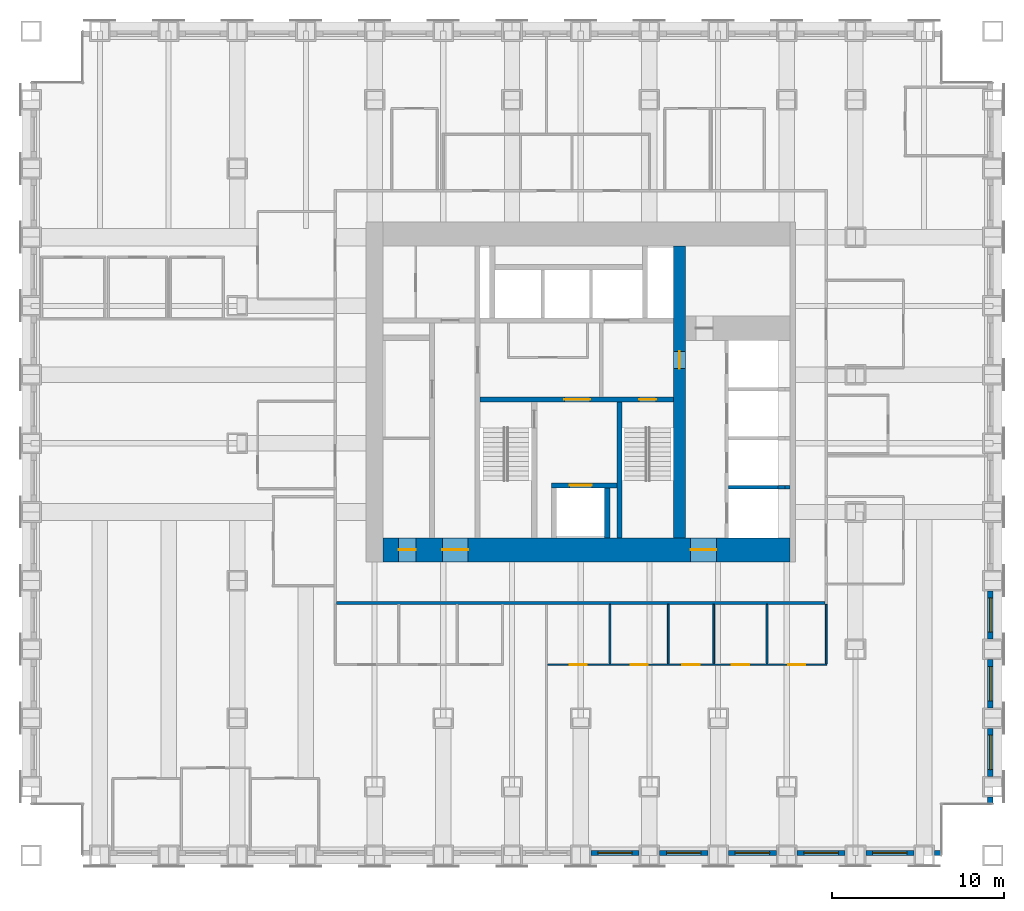
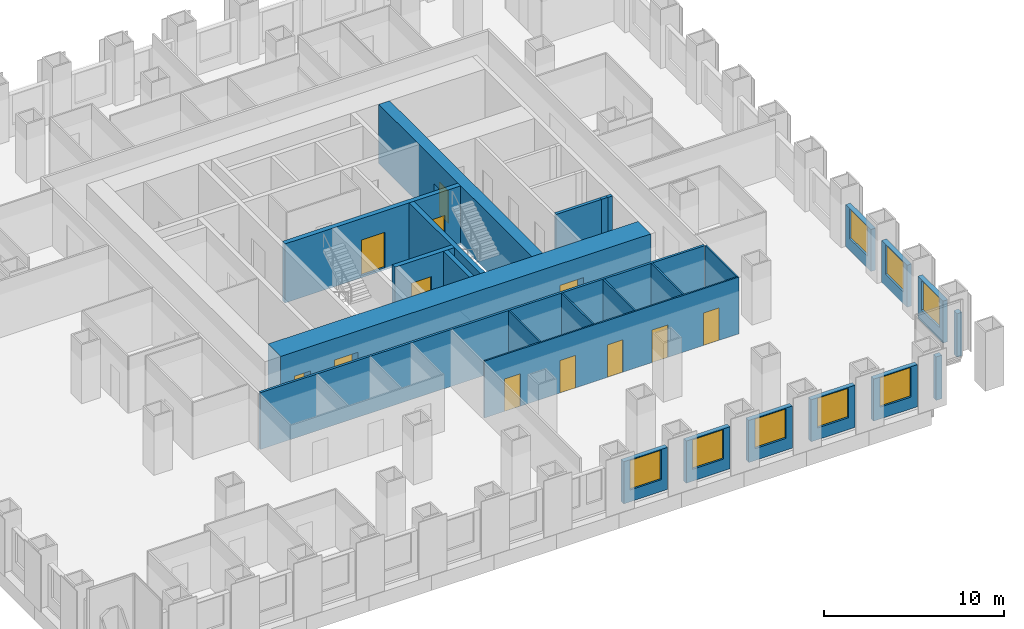
# One storey, part 9 of 14: 26 walls, 12 doors, 8 windows, 20 openings.
"""IFC4 building model written with IfcOpenShell, lengths in metres."""

from ifc_helpers import new_model, si_unit, direction, frame, frame_2d, origin, place, context, subcontext, project, spatial, rectangle, extrude, material, layer, layer_set, type_object, element, fill, save


model = new_model("IFC4")

# Units and contexts
model_context = context("Model", 3, precision=1e-05, world=origin(), true_north=direction((0.0, 1.0)))
body_context = subcontext(model_context, "Body", "Model", "MODEL_VIEW")
ifc_project = project(units=[si_unit("LENGTHUNIT", "METRE"), si_unit("AREAUNIT", "SQUARE_METRE"), si_unit("VOLUMEUNIT", "CUBIC_METRE"), si_unit("PLANEANGLEUNIT", "RADIAN"), si_unit("MASSUNIT", "GRAM", prefix="KILO")], contexts=[model_context])

# Site, building, storey
site_placement = place(None, origin())
site = spatial("IfcSite", under=ifc_project, at=site_placement, CompositionType="ELEMENT")
building_placement = place(site_placement, origin())
building = spatial("IfcBuilding", under=site, at=building_placement, Name="Rimbunsela Tower", CompositionType="ELEMENT")
storey_placement = place(building_placement, frame((0.0, 0.0, 63.0)))
storey = spatial("IfcBuildingStorey", under=building, at=storey_placement, Name="L15", CompositionType="ELEMENT", Elevation=63.0)

# Wall, openings, doors
ifc_material_1 = material(Name="Concrete fc' 80 MPa", Category="concrete")
ifc_layer_1 = layer(ifc_material_1, 0.300048828125)
ifc_layer_set_1 = layer_set([ifc_layer_1], Name="Core internal wall 300")
wall_type_1 = type_object("IfcWallType", Name="Core internal wall 300", PredefinedType="SHEAR", material=ifc_layer_set_1)
wall_1_placement = place(storey_placement, frame((24.14990234375, 26.550048828125, -0.14990234375), z_axis=(0.0, 0.0, 1.0), x_axis=(1.0, 0.0, 0.0)))
wall_1 = element("IfcWall", 1, at=wall_1_placement, inside=storey, type_object=wall_type_1, Name="Core wall lobby south", PredefinedType="SHEAR", context=body_context, shape_type="SweptSolid", body=[
    extrude(rectangle(XDim=11.25, YDim=0.300048828125, at=frame_2d((5.625, 0.0))), origin(), (0.0, 0.0, 1.0), 4.0),
])
opening_1_placement = place(wall_1_placement, frame((9.25, 0.0, 0.14990234375)))
opening_1 = element("IfcOpeningElement", 2, at=opening_1_placement, cuts=wall_1, Name="Opening D01", PredefinedType="OPENING", context=body_context, shape_type="SweptSolid", body=[
    extrude(rectangle(XDim=1.0, YDim=2.199951171875, at=frame_2d((0.5, 1.10009765625))), frame((0.0, 0.159912109375, 0.0), z_axis=(0.0, -1.0, 0.0), x_axis=(1.0, 0.0, 0.0)), (0.0, 0.0, 1.0), 0.320068359375),
])
opening_2_placement = place(wall_1_placement, frame((4.89990234375, 0.0, 0.14990234375)))
opening_2 = element("IfcOpeningElement", 3, at=opening_2_placement, cuts=wall_1, Name="Opening D03", PredefinedType="OPENING", context=body_context, shape_type="SweptSolid", body=[
    extrude(rectangle(XDim=1.5, YDim=2.39990234375, at=frame_2d((0.75, 1.199951171875))), frame((0.0, 0.159912109375, 0.0), z_axis=(0.0, -1.0, 0.0), x_axis=(1.0, 0.0, 0.0)), (0.0, 0.0, 1.0), 0.320068359375),
])
ifc_material_2 = material(Name="Steel door, fire rated", Category="steel")
door_type_1 = type_object("IfcDoorType", Name="Core lobby door 1500", OperationType="DOUBLE_DOOR_DOUBLE_SWING", PredefinedType="DOOR", material=ifc_material_2)
door_1_placement = place(opening_2_placement, origin())
door_1 = element("IfcDoor", 4, at=door_1_placement, inside=storey, type_object=door_type_1, Name="Firefighting lobby door", OperationType="DOUBLE_DOOR_DOUBLE_SWING", OverallHeight=2.39990234375, OverallWidth=1.5, PredefinedType="DOOR", context=body_context, shape_type="SweptSolid", body=[
    extrude(rectangle(XDim=1.5, YDim=2.39990234375, at=frame_2d((0.75, 1.199951171875))), frame((0.0, 0.02490234375, 0.0), z_axis=(0.0, -1.0, 0.0), x_axis=(1.0, 0.0, 0.0)), (0.0, 0.0, 1.0), 0.050048828125),
])
fill(opening_2, door_1)
ifc_material_3 = material(Name="Steel door, fire rated", Category="steel")
door_type_2 = type_object("IfcDoorType", Name="Stair door 1000", OperationType="SINGLE_SWING_RIGHT", PredefinedType="DOOR", material=ifc_material_3)
door_2_placement = place(opening_1_placement, frame((1.0, 0.0, 0.0), z_axis=(0.0, 0.0, 1.0), x_axis=(-1.0, 0.0, 0.0)))
door_2 = element("IfcDoor", 5, at=door_2_placement, inside=storey, type_object=door_type_2, Name="Stair B door", OperationType="SINGLE_SWING_RIGHT", OverallHeight=2.199951171875, OverallWidth=1.0, PredefinedType="DOOR", context=body_context, shape_type="SweptSolid", body=[
    extrude(rectangle(XDim=1.0, YDim=2.199951171875, at=frame_2d((0.5, 1.10009765625))), frame((0.0, 0.02490234375, 0.0), z_axis=(0.0, -1.0, 0.0), x_axis=(1.0, 0.0, 0.0)), (0.0, 0.0, 1.0), 0.050048828125),
])
fill(opening_1, door_2)

# Walls
wall_2_placement = place(storey_placement, frame((32.25, 18.5, -0.14990234375), z_axis=(0.0, 0.0, 1.0), x_axis=(0.0, 1.0, 0.0)))
element("IfcWall", 6, at=wall_2_placement, inside=storey, type_object=wall_type_1, Name="Stair B enclosure", PredefinedType="SHEAR", context=body_context, shape_type="SweptSolid", body=[
    extrude(rectangle(XDim=7.89990234375, YDim=0.300048828125, at=frame_2d((3.949951171875, 0.0))), origin(), (0.0, 0.0, 1.0), 4.0),
])
wall_3_placement = place(storey_placement, frame((31.550048828125, 18.5, -0.14990234375), z_axis=(0.0, 0.0, 1.0), x_axis=(0.0, 1.0, 0.0)))
element("IfcWall", 7, at=wall_3_placement, inside=storey, type_object=wall_type_1, Name="Firefighting lift shaft east", PredefinedType="SHEAR", context=body_context, shape_type="SweptSolid", body=[
    extrude(rectangle(XDim=2.89990234375, YDim=0.300048828125, at=frame_2d((1.449951171875, 0.0))), origin(), (0.0, 0.0, 1.0), 4.0),
])

# Wall, opening, door
wall_4_placement = place(storey_placement, frame((28.300048828125, 21.550048828125, -0.14990234375), z_axis=(0.0, 0.0, 1.0), x_axis=(1.0, 0.0, 0.0)))
wall_4 = element("IfcWall", 8, at=wall_4_placement, inside=storey, type_object=wall_type_1, Name="Firefighting lift shaft front", PredefinedType="SHEAR", context=body_context, shape_type="SweptSolid", body=[
    extrude(rectangle(XDim=3.800048828125, YDim=0.300048828125, at=frame_2d((1.89990234375, 0.0))), origin(), (0.0, 0.0, 1.0), 4.0),
])
opening_3_placement = place(wall_4_placement, frame((1.050048828125, 0.0, 0.14990234375)))
opening_3 = element("IfcOpeningElement", 9, at=opening_3_placement, cuts=wall_4, Name="Opening LD2", PredefinedType="OPENING", context=body_context, shape_type="SweptSolid", body=[
    extrude(rectangle(XDim=1.300048828125, YDim=2.39990234375, at=frame_2d((0.64990234375, 1.199951171875))), frame((0.0, 0.159912109375, 0.0), z_axis=(0.0, -1.0, 0.0), x_axis=(1.0, 0.0, 0.0)), (0.0, 0.0, 1.0), 0.320068359375),
])
ifc_material_4 = material(Name="Steel door, fire rated", Category="steel")
door_type_3 = type_object("IfcDoorType", Name="Lift landing door 1300", OperationType="DOUBLE_DOOR_SLIDING", PredefinedType="DOOR", material=ifc_material_4)
door_3_placement = place(opening_3_placement, origin())
door_3 = element("IfcDoor", 10, at=door_3_placement, inside=storey, type_object=door_type_3, Name="Lift landing door FL1", OperationType="DOUBLE_DOOR_SLIDING", OverallHeight=2.39990234375, OverallWidth=1.300048828125, PredefinedType="DOOR", context=body_context, shape_type="SweptSolid", body=[
    extrude(rectangle(XDim=1.300048828125, YDim=2.39990234375, at=frame_2d((0.64990234375, 1.199951171875))), frame((0.0, 0.02490234375, 0.0), z_axis=(0.0, -1.0, 0.0), x_axis=(1.0, 0.0, 0.0)), (0.0, 0.0, 1.0), 0.050048828125),
])
fill(opening_3, door_3)

# Wall, openings, doors
ifc_material_5 = material(Name="Concrete fc' 80 MPa", Category="concrete")
ifc_layer_2 = layer(ifc_material_5, 1.39990234375)
ifc_layer_set_2 = layer_set([ifc_layer_2], Name="Core wall 1400")
wall_type_2 = type_object("IfcWallType", Name="Core wall 1400", PredefinedType="SHEAR", material=ifc_layer_set_2)
wall_5_placement = place(storey_placement, frame((18.5, 17.800048828125, -0.14990234375), z_axis=(0.0, 0.0, 1.0), x_axis=(1.0, 0.0, 0.0)))
wall_5 = element("IfcWall", 11, at=wall_5_placement, inside=storey, type_object=wall_type_2, Name="Core wall south", PredefinedType="SHEAR", context=body_context, shape_type="SweptSolid", body=[
    extrude(rectangle(XDim=23.699951171875, YDim=1.39990234375, at=frame_2d((11.85009765625, 0.0))), origin(), (0.0, 0.0, 1.0), 4.0),
])
opening_4_placement = place(wall_5_placement, frame((3.449951171875, 0.0, 0.14990234375)))
opening_4 = element("IfcOpeningElement", 12, at=opening_4_placement, cuts=wall_5, Name="Opening D03", PredefinedType="OPENING", context=body_context, shape_type="SweptSolid", body=[
    extrude(rectangle(XDim=1.5, YDim=2.39990234375, at=frame_2d((0.75, 1.199951171875))), frame((0.0, 0.7099609375, 0.0), z_axis=(0.0, -1.0, 0.0), x_axis=(1.0, 0.0, 0.0)), (0.0, 0.0, 1.0), 1.419921875),
])
opening_5_placement = place(wall_5_placement, frame((17.89990234375, 0.0, 0.14990234375)))
opening_5 = element("IfcOpeningElement", 13, at=opening_5_placement, cuts=wall_5, Name="Opening D03", PredefinedType="OPENING", context=body_context, shape_type="SweptSolid", body=[
    extrude(rectangle(XDim=1.5, YDim=2.39990234375, at=frame_2d((0.75, 1.199951171875))), frame((0.0, 0.7099609375, 0.0), z_axis=(0.0, -1.0, 0.0), x_axis=(1.0, 0.0, 0.0)), (0.0, 0.0, 1.0), 1.419921875),
])
opening_6_placement = place(wall_5_placement, frame((0.89990234375, 0.0, 0.14990234375)))
opening_6 = element("IfcOpeningElement", 14, at=opening_6_placement, cuts=wall_5, Name="Opening D19", PredefinedType="OPENING", context=body_context, shape_type="SweptSolid", body=[
    extrude(rectangle(XDim=1.0, YDim=2.199951171875, at=frame_2d((0.5, 1.10009765625))), frame((0.0, 0.7099609375, 0.0), z_axis=(0.0, -1.0, 0.0), x_axis=(1.0, 0.0, 0.0)), (0.0, 0.0, 1.0), 1.419921875),
])
door_4_placement = place(opening_4_placement, origin())
door_4 = element("IfcDoor", 15, at=door_4_placement, inside=storey, type_object=door_type_1, Name="Core door south", OperationType="DOUBLE_DOOR_DOUBLE_SWING", OverallHeight=2.39990234375, OverallWidth=1.5, PredefinedType="DOOR", context=body_context, shape_type="SweptSolid", body=[
    extrude(rectangle(XDim=1.5, YDim=2.39990234375, at=frame_2d((0.75, 1.199951171875))), frame((0.0, 0.02490234375, 0.0), z_axis=(0.0, -1.0, 0.0), x_axis=(1.0, 0.0, 0.0)), (0.0, 0.0, 1.0), 0.050048828125),
])
fill(opening_4, door_4)
door_5_placement = place(opening_5_placement, origin())
door_5 = element("IfcDoor", 16, at=door_5_placement, inside=storey, type_object=door_type_1, Name="Core door south-east", OperationType="DOUBLE_DOOR_DOUBLE_SWING", OverallHeight=2.39990234375, OverallWidth=1.5, PredefinedType="DOOR", context=body_context, shape_type="SweptSolid", body=[
    extrude(rectangle(XDim=1.5, YDim=2.39990234375, at=frame_2d((0.75, 1.199951171875))), frame((0.0, 0.02490234375, 0.0), z_axis=(0.0, -1.0, 0.0), x_axis=(1.0, 0.0, 0.0)), (0.0, 0.0, 1.0), 0.050048828125),
])
fill(opening_5, door_5)
ifc_material_6 = material(Name="Steel door, fire rated", Category="steel")
door_type_4 = type_object("IfcDoorType", Name="Service door 1000 fire rated", OperationType="SINGLE_SWING_LEFT", PredefinedType="DOOR", material=ifc_material_6)
door_6_placement = place(opening_6_placement, origin())
door_6 = element("IfcDoor", 17, at=door_6_placement, inside=storey, type_object=door_type_4, Name="Electrical room door", OperationType="SINGLE_SWING_LEFT", OverallHeight=2.199951171875, OverallWidth=1.0, PredefinedType="DOOR", context=body_context, shape_type="SweptSolid", body=[
    extrude(rectangle(XDim=1.0, YDim=2.199951171875, at=frame_2d((0.5, 1.10009765625))), frame((0.0, 0.02490234375, 0.0), z_axis=(0.0, -1.0, 0.0), x_axis=(1.0, 0.0, 0.0)), (0.0, 0.0, 1.0), 0.050048828125),
])
fill(opening_6, door_6)

# Wall, opening, door
ifc_material_7 = material(Name="Concrete fc' 80 MPa", Category="concrete")
ifc_layer_3 = layer(ifc_material_7, 0.699951171875)
ifc_layer_set_3 = layer_set([ifc_layer_3], Name="Core wall 700 east")
wall_type_3 = type_object("IfcWallType", Name="Core wall 700 east", PredefinedType="SHEAR", material=ifc_layer_set_3)
wall_6_placement = place(storey_placement, frame((35.75, 18.5, -0.14990234375), z_axis=(0.0, 0.0, 1.0), x_axis=(0.0, 1.0, 0.0)))
wall_6 = element("IfcWall", 18, at=wall_6_placement, inside=storey, type_object=wall_type_3, Name="Core wall low-rise bank", PredefinedType="SHEAR", context=body_context, shape_type="SweptSolid", body=[
    extrude(rectangle(XDim=17.0, YDim=0.699951171875, at=frame_2d((8.5, 0.0))), origin(), (0.0, 0.0, 1.0), 4.0),
])
opening_7_placement = place(wall_6_placement, frame((9.85009765625, 0.0, 0.14990234375)))
opening_7 = element("IfcOpeningElement", 19, at=opening_7_placement, cuts=wall_6, Name="Opening D01", PredefinedType="OPENING", context=body_context, shape_type="SweptSolid", body=[
    extrude(rectangle(XDim=1.0, YDim=2.199951171875, at=frame_2d((0.5, 1.10009765625))), frame((0.0, 0.35986328125, 0.0), z_axis=(0.0, -1.0, 0.0), x_axis=(1.0, 0.0, 0.0)), (0.0, 0.0, 1.0), 0.719970703125),
])
door_7_placement = place(opening_7_placement, origin())
door_7 = element("IfcDoor", 20, at=door_7_placement, inside=storey, type_object=door_type_2, Name="Firefighting lobby 2 door", OperationType="SINGLE_SWING_RIGHT", OverallHeight=2.199951171875, OverallWidth=1.0, PredefinedType="DOOR", context=body_context, shape_type="SweptSolid", body=[
    extrude(rectangle(XDim=1.0, YDim=2.199951171875, at=frame_2d((0.5, 1.10009765625))), frame((0.0, 0.02490234375, 0.0), z_axis=(0.0, -1.0, 0.0), x_axis=(1.0, 0.0, 0.0)), (0.0, 0.0, 1.0), 0.050048828125),
])
fill(opening_7, door_7)

# Walls
ifc_material_8 = material(Name="Concrete blockwork", Category="masonry")
ifc_layer_4 = layer(ifc_material_8, 0.199951171875)
ifc_layer_set_4 = layer_set([ifc_layer_4], Name="Lift shaft wall 200")
wall_type_4 = type_object("IfcWallType", Name="Lift shaft wall 200", PredefinedType="SOLIDWALL", material=ifc_layer_set_4)
wall_7_placement = place(storey_placement, frame((38.60009765625, 21.449951171875, -0.14990234375), z_axis=(0.0, 0.0, 1.0), x_axis=(1.0, 0.0, 0.0)))
element("IfcWall", 21, at=wall_7_placement, inside=storey, type_object=wall_type_4, Name="Lift shaft separation", PredefinedType="SOLIDWALL", context=body_context, shape_type="SweptSolid", body=[
    extrude(rectangle(XDim=2.89990234375, YDim=0.199951171875, at=frame_2d((1.449951171875, 0.0))), origin(), (0.0, 0.0, 1.0), 4.0),
])
wall_8_placement = place(storey_placement, frame((41.5, 21.449951171875, -0.14990234375), z_axis=(0.0, 0.0, 1.0), x_axis=(1.0, 0.0, 0.0)))
element("IfcWall", 22, at=wall_8_placement, inside=storey, type_object=wall_type_4, Name="Lift shaft separation", PredefinedType="SOLIDWALL", context=body_context, shape_type="SweptSolid", body=[
    extrude(rectangle(XDim=0.39990234375, YDim=0.199951171875, at=frame_2d((0.199951171875, 0.0))), origin(), (0.0, 0.0, 1.0), 4.0),
])
wall_9_placement = place(storey_placement, frame((41.89990234375, 21.449951171875, -0.14990234375), z_axis=(0.0, 0.0, 1.0), x_axis=(1.0, 0.0, 0.0)))
element("IfcWall", 23, at=wall_9_placement, inside=storey, type_object=wall_type_4, Name="Lift shaft separation", PredefinedType="SOLIDWALL", context=body_context, shape_type="SweptSolid", body=[
    extrude(rectangle(XDim=0.300048828125, YDim=0.199951171875, at=frame_2d((0.14990234375, 0.0))), origin(), (0.0, 0.0, 1.0), 4.0),
])

# Wall, openings, doors
ifc_material_9 = material(Name="Gypsum board on steel studs", Category="steel")
ifc_layer_5 = layer(ifc_material_9, 0.10009765625)
ifc_layer_set_5 = layer_set([ifc_layer_5], Name="Office partition 100")
wall_type_5 = type_object("IfcWallType", Name="Office partition 100", PredefinedType="PARTITIONING", material=ifc_layer_set_5)
wall_10_placement = place(storey_placement, frame((28.06103515625, 11.10009765625, 0.0), z_axis=(0.0, 0.0, 1.0), x_axis=(1.0, 0.0, 0.0)))
wall_10 = element("IfcWall", 24, at=wall_10_placement, inside=storey, type_object=wall_type_5, Name="Office partition", PredefinedType="PARTITIONING", context=body_context, shape_type="SweptSolid", body=[
    extrude(rectangle(XDim=16.2890625, YDim=0.10009765625, at=frame_2d((8.14453125, 0.0))), origin(), (0.0, 0.0, 1.0), 3.85009765625),
])
opening_8_placement = place(wall_10_placement, frame((1.2900390625, 0.0, 0.0)))
opening_8 = element("IfcOpeningElement", 25, at=opening_8_placement, cuts=wall_10, Name="Opening D17", PredefinedType="OPENING", context=body_context, shape_type="SweptSolid", body=[
    extrude(rectangle(XDim=1.0, YDim=2.199951171875, at=frame_2d((0.5, 1.10009765625))), frame((0.0, 0.06005859375, 0.0), z_axis=(0.0, -1.0, 0.0), x_axis=(1.0, 0.0, 0.0)), (0.0, 0.0, 1.0), 0.1201171875),
])
opening_9_placement = place(wall_10_placement, frame((4.840087890625, 0.0, 0.0)))
opening_9 = element("IfcOpeningElement", 26, at=opening_9_placement, cuts=wall_10, Name="Opening D16", PredefinedType="OPENING", context=body_context, shape_type="SweptSolid", body=[
    extrude(rectangle(XDim=1.0, YDim=2.199951171875, at=frame_2d((0.5, 1.10009765625))), frame((0.0, 0.06005859375, 0.0), z_axis=(0.0, -1.0, 0.0), x_axis=(1.0, 0.0, 0.0)), (0.0, 0.0, 1.0), 0.1201171875),
])
opening_10_placement = place(wall_10_placement, frame((7.864990234375, 0.0, 0.0)))
opening_10 = element("IfcOpeningElement", 27, at=opening_10_placement, cuts=wall_10, Name="Opening D16", PredefinedType="OPENING", context=body_context, shape_type="SweptSolid", body=[
    extrude(rectangle(XDim=1.0, YDim=2.199951171875, at=frame_2d((0.5, 1.10009765625))), frame((0.0, 0.06005859375, 0.0), z_axis=(0.0, -1.0, 0.0), x_axis=(1.0, 0.0, 0.0)), (0.0, 0.0, 1.0), 0.1201171875),
])
opening_11_placement = place(wall_10_placement, frame((10.739990234375, 0.0, 0.0)))
opening_11 = element("IfcOpeningElement", 28, at=opening_11_placement, cuts=wall_10, Name="Opening D16", PredefinedType="OPENING", context=body_context, shape_type="SweptSolid", body=[
    extrude(rectangle(XDim=1.0, YDim=2.199951171875, at=frame_2d((0.5, 1.10009765625))), frame((0.0, 0.06005859375, 0.0), z_axis=(0.0, -1.0, 0.0), x_axis=(1.0, 0.0, 0.0)), (0.0, 0.0, 1.0), 0.1201171875),
])
opening_12_placement = place(wall_10_placement, frame((14.014404296875, 0.0, 0.0)))
opening_12 = element("IfcOpeningElement", 29, at=opening_12_placement, cuts=wall_10, Name="Opening D16", PredefinedType="OPENING", context=body_context, shape_type="SweptSolid", body=[
    extrude(rectangle(XDim=1.0, YDim=2.199951171875, at=frame_2d((0.5, 1.10009765625))), frame((0.0, 0.06005859375, 0.0), z_axis=(0.0, -1.0, 0.0), x_axis=(1.0, 0.0, 0.0)), (0.0, 0.0, 1.0), 0.1201171875),
])
ifc_material_10 = material(Name="Glazed aluminium door", Category="aluminium")
door_type_5 = type_object("IfcDoorType", Name="Meeting room door 1000 glazed", OperationType="SINGLE_SWING_RIGHT", PredefinedType="DOOR", material=ifc_material_10)
door_8_placement = place(opening_8_placement, origin())
door_8 = element("IfcDoor", 30, at=door_8_placement, inside=storey, type_object=door_type_5, Name="Meeting room door", OperationType="SINGLE_SWING_RIGHT", OverallHeight=2.199951171875, OverallWidth=1.0, PredefinedType="DOOR", context=body_context, shape_type="SweptSolid", body=[
    extrude(rectangle(XDim=1.0, YDim=2.199951171875, at=frame_2d((0.5, 1.10009765625))), frame((0.0, 0.02490234375, 0.0), z_axis=(0.0, -1.0, 0.0), x_axis=(1.0, 0.0, 0.0)), (0.0, 0.0, 1.0), 0.050048828125),
])
fill(opening_8, door_8)
ifc_material_11 = material(Name="Timber door", Category="wood")
door_type_6 = type_object("IfcDoorType", Name="Office door 1000", OperationType="SINGLE_SWING_LEFT", PredefinedType="DOOR", material=ifc_material_11)
door_9_placement = place(opening_9_placement, origin())
door_9 = element("IfcDoor", 31, at=door_9_placement, inside=storey, type_object=door_type_6, Name="Office door", OperationType="SINGLE_SWING_LEFT", OverallHeight=2.199951171875, OverallWidth=1.0, PredefinedType="DOOR", context=body_context, shape_type="SweptSolid", body=[
    extrude(rectangle(XDim=1.0, YDim=2.199951171875, at=frame_2d((0.5, 1.10009765625))), frame((0.0, 0.02490234375, 0.0), z_axis=(0.0, -1.0, 0.0), x_axis=(1.0, 0.0, 0.0)), (0.0, 0.0, 1.0), 0.050048828125),
])
fill(opening_9, door_9)
door_10_placement = place(opening_10_placement, origin())
door_10 = element("IfcDoor", 32, at=door_10_placement, inside=storey, type_object=door_type_6, Name="Office door", OperationType="SINGLE_SWING_LEFT", OverallHeight=2.199951171875, OverallWidth=1.0, PredefinedType="DOOR", context=body_context, shape_type="SweptSolid", body=[
    extrude(rectangle(XDim=1.0, YDim=2.199951171875, at=frame_2d((0.5, 1.10009765625))), frame((0.0, 0.02490234375, 0.0), z_axis=(0.0, -1.0, 0.0), x_axis=(1.0, 0.0, 0.0)), (0.0, 0.0, 1.0), 0.050048828125),
])
fill(opening_10, door_10)
door_11_placement = place(opening_11_placement, origin())
door_11 = element("IfcDoor", 33, at=door_11_placement, inside=storey, type_object=door_type_6, Name="Office door", OperationType="SINGLE_SWING_LEFT", OverallHeight=2.199951171875, OverallWidth=1.0, PredefinedType="DOOR", context=body_context, shape_type="SweptSolid", body=[
    extrude(rectangle(XDim=1.0, YDim=2.199951171875, at=frame_2d((0.5, 1.10009765625))), frame((0.0, 0.02490234375, 0.0), z_axis=(0.0, -1.0, 0.0), x_axis=(1.0, 0.0, 0.0)), (0.0, 0.0, 1.0), 0.050048828125),
])
fill(opening_11, door_11)
door_12_placement = place(opening_12_placement, origin())
door_12 = element("IfcDoor", 34, at=door_12_placement, inside=storey, type_object=door_type_6, Name="Office door", OperationType="SINGLE_SWING_LEFT", OverallHeight=2.199951171875, OverallWidth=1.0, PredefinedType="DOOR", context=body_context, shape_type="SweptSolid", body=[
    extrude(rectangle(XDim=1.0, YDim=2.199951171875, at=frame_2d((0.5, 1.10009765625))), frame((0.0, 0.02490234375, 0.0), z_axis=(0.0, -1.0, 0.0), x_axis=(1.0, 0.0, 0.0)), (0.0, 0.0, 1.0), 0.050048828125),
])
fill(opening_12, door_12)

# Walls
for number, where, z_axis, x_axis, name in (
    (35, (31.700927734375, 11.14990234375, 0.0), (0.0, 0.0, 1.0), (0.0, 1.0, 0.0), "Office partition"),
    (36, (35.10107421875, 11.14990234375, 0.0), (0.0, 0.0, 1.0), (0.0, 1.0, 0.0), "Office partition"),
    (37, (37.7509765625, 11.14990234375, 0.0), (0.0, 0.0, 1.0), (0.0, 1.0, 0.0), "Office partition"),
    (38, (40.85107421875, 11.14990234375, 0.0), (0.0, 0.0, 1.0), (0.0, 1.0, 0.0), "Office partition"),
    (39, (44.300048828125, 11.14990234375, 0.0), (0.0, 0.0, 1.0), (0.0, 1.0, 0.0), "Office partition"),
):
    element("IfcWall", number, at=place(storey_placement, frame(where, z_axis=z_axis, x_axis=x_axis)), inside=storey, type_object=wall_type_5, Name=name, PredefinedType="PARTITIONING", context=body_context, shape_type="SweptSolid", body=[
        extrude(rectangle(XDim=3.47509765625, YDim=0.10009765625, at=frame_2d((1.737548828125, 0.0))), origin(), (0.0, 0.0, 1.0), 3.85009765625),
    ])

# Wall, opening, window
ifc_material_12 = material(Name="Precast concrete fc' 35 MPa", Category="concrete")
ifc_layer_6 = layer(ifc_material_12, 0.300048828125)
ifc_layer_set_6 = layer_set([ifc_layer_6], Name="Precast concrete fc' 35 MPa")
wall_type_6 = type_object("IfcWallType", Name="Precast facade panel 300", PredefinedType="ELEMENTEDWALL", material=ifc_layer_set_6)
wall_11_placement = place(storey_placement, frame((30.60009765625, 0.14990234375, 0.0), z_axis=(0.0, 0.0, 1.0), x_axis=(1.0, 0.0, 0.0)))
wall_11 = element("IfcWall", 40, at=wall_11_placement, inside=storey, type_object=wall_type_6, Name="Facade panel S L15", PredefinedType="ELEMENTEDWALL", context=body_context, shape_type="SweptSolid", body=[
    extrude(rectangle(XDim=2.7998046875, YDim=0.300048828125, at=frame_2d((1.39990234375, 0.0))), origin(), (0.0, 0.0, 1.0), 2.85009765625),
])
opening_13_placement = place(wall_11_placement, frame((0.39990234375, 0.0, 0.800048828125)))
opening_13 = element("IfcOpeningElement", 41, at=opening_13_placement, cuts=wall_11, Name="Opening W1", PredefinedType="OPENING", context=body_context, shape_type="SweptSolid", body=[
    extrude(rectangle(XDim=2.0, YDim=2.0, at=frame_2d((1.0, 1.0))), frame((0.0, 0.159912109375, 0.0), z_axis=(0.0, -1.0, 0.0), x_axis=(1.0, 0.0, 0.0)), (0.0, 0.0, 1.0), 0.320068359375),
])
ifc_material_13 = material(Name="Clear glass in aluminium frame", Category="aluminium")
window_type = type_object("IfcWindowType", Name="Window W1 2000x2000", PartitioningType="DOUBLE_PANEL_VERTICAL", PredefinedType="WINDOW", material=ifc_material_13)
window_1_placement = place(opening_13_placement, origin())
window_1 = element("IfcWindow", 42, at=window_1_placement, inside=storey, type_object=window_type, Name="Window L15", OverallHeight=2.0, OverallWidth=2.0, PartitioningType="SINGLE_PANEL", PredefinedType="WINDOW", context=body_context, shape_type="SweptSolid", body=[
    extrude(rectangle(XDim=2.0, YDim=2.0, at=frame_2d((1.0, 1.0))), frame((0.0, 0.030029296875, 0.0), z_axis=(0.0, -1.0, 0.0), x_axis=(1.0, 0.0, 0.0)), (0.0, 0.0, 1.0), 0.06005859375),
])
fill(opening_13, window_1)

wall_12_placement = place(storey_placement, frame((34.60009765625, 0.14990234375, 0.0), z_axis=(0.0, 0.0, 1.0), x_axis=(1.0, 0.0, 0.0)))
wall_12 = element("IfcWall", 43, at=wall_12_placement, inside=storey, type_object=wall_type_6, Name="Facade panel S L15", PredefinedType="ELEMENTEDWALL", context=body_context, shape_type="SweptSolid", body=[
    extrude(rectangle(XDim=2.7998046875, YDim=0.300048828125, at=frame_2d((1.39990234375, 0.0))), origin(), (0.0, 0.0, 1.0), 2.85009765625),
])
opening_14_placement = place(wall_12_placement, frame((0.39990234375, 0.0, 0.800048828125)))
opening_14 = element("IfcOpeningElement", 44, at=opening_14_placement, cuts=wall_12, Name="Opening W1", PredefinedType="OPENING", context=body_context, shape_type="SweptSolid", body=[
    extrude(rectangle(XDim=2.0, YDim=2.0, at=frame_2d((1.0, 1.0))), frame((0.0, 0.159912109375, 0.0), z_axis=(0.0, -1.0, 0.0), x_axis=(1.0, 0.0, 0.0)), (0.0, 0.0, 1.0), 0.320068359375),
])
window_2_placement = place(opening_14_placement, origin())
window_2 = element("IfcWindow", 45, at=window_2_placement, inside=storey, type_object=window_type, Name="Window L15", OverallHeight=2.0, OverallWidth=2.0, PartitioningType="SINGLE_PANEL", PredefinedType="WINDOW", context=body_context, shape_type="SweptSolid", body=[
    extrude(rectangle(XDim=2.0, YDim=2.0, at=frame_2d((1.0, 1.0))), frame((0.0, 0.030029296875, 0.0), z_axis=(0.0, -1.0, 0.0), x_axis=(1.0, 0.0, 0.0)), (0.0, 0.0, 1.0), 0.06005859375),
])
fill(opening_14, window_2)

wall_13_placement = place(storey_placement, frame((38.60009765625, 0.14990234375, 0.0), z_axis=(0.0, 0.0, 1.0), x_axis=(1.0, 0.0, 0.0)))
wall_13 = element("IfcWall", 46, at=wall_13_placement, inside=storey, type_object=wall_type_6, Name="Facade panel S L15", PredefinedType="ELEMENTEDWALL", context=body_context, shape_type="SweptSolid", body=[
    extrude(rectangle(XDim=2.7998046875, YDim=0.300048828125, at=frame_2d((1.39990234375, 0.0))), origin(), (0.0, 0.0, 1.0), 2.85009765625),
])
opening_15_placement = place(wall_13_placement, frame((0.39990234375, 0.0, 0.800048828125)))
opening_15 = element("IfcOpeningElement", 47, at=opening_15_placement, cuts=wall_13, Name="Opening W1", PredefinedType="OPENING", context=body_context, shape_type="SweptSolid", body=[
    extrude(rectangle(XDim=2.0, YDim=2.0, at=frame_2d((1.0, 1.0))), frame((0.0, 0.159912109375, 0.0), z_axis=(0.0, -1.0, 0.0), x_axis=(1.0, 0.0, 0.0)), (0.0, 0.0, 1.0), 0.320068359375),
])
window_3_placement = place(opening_15_placement, origin())
window_3 = element("IfcWindow", 48, at=window_3_placement, inside=storey, type_object=window_type, Name="Window L15", OverallHeight=2.0, OverallWidth=2.0, PartitioningType="SINGLE_PANEL", PredefinedType="WINDOW", context=body_context, shape_type="SweptSolid", body=[
    extrude(rectangle(XDim=2.0, YDim=2.0, at=frame_2d((1.0, 1.0))), frame((0.0, 0.030029296875, 0.0), z_axis=(0.0, -1.0, 0.0), x_axis=(1.0, 0.0, 0.0)), (0.0, 0.0, 1.0), 0.06005859375),
])
fill(opening_15, window_3)

wall_14_placement = place(storey_placement, frame((42.60009765625, 0.14990234375, 0.0), z_axis=(0.0, 0.0, 1.0), x_axis=(1.0, 0.0, 0.0)))
wall_14 = element("IfcWall", 49, at=wall_14_placement, inside=storey, type_object=wall_type_6, Name="Facade panel S L15", PredefinedType="ELEMENTEDWALL", context=body_context, shape_type="SweptSolid", body=[
    extrude(rectangle(XDim=2.7998046875, YDim=0.300048828125, at=frame_2d((1.39990234375, 0.0))), origin(), (0.0, 0.0, 1.0), 2.85009765625),
])
opening_16_placement = place(wall_14_placement, frame((0.39990234375, 0.0, 0.800048828125)))
opening_16 = element("IfcOpeningElement", 50, at=opening_16_placement, cuts=wall_14, Name="Opening W1", PredefinedType="OPENING", context=body_context, shape_type="SweptSolid", body=[
    extrude(rectangle(XDim=2.0, YDim=2.0, at=frame_2d((1.0, 1.0))), frame((0.0, 0.159912109375, 0.0), z_axis=(0.0, -1.0, 0.0), x_axis=(1.0, 0.0, 0.0)), (0.0, 0.0, 1.0), 0.320068359375),
])
window_4_placement = place(opening_16_placement, origin())
window_4 = element("IfcWindow", 51, at=window_4_placement, inside=storey, type_object=window_type, Name="Window L15", OverallHeight=2.0, OverallWidth=2.0, PartitioningType="SINGLE_PANEL", PredefinedType="WINDOW", context=body_context, shape_type="SweptSolid", body=[
    extrude(rectangle(XDim=2.0, YDim=2.0, at=frame_2d((1.0, 1.0))), frame((0.0, 0.030029296875, 0.0), z_axis=(0.0, -1.0, 0.0), x_axis=(1.0, 0.0, 0.0)), (0.0, 0.0, 1.0), 0.06005859375),
])
fill(opening_16, window_4)

wall_15_placement = place(storey_placement, frame((46.60009765625, 0.14990234375, 0.0), z_axis=(0.0, 0.0, 1.0), x_axis=(1.0, 0.0, 0.0)))
wall_15 = element("IfcWall", 52, at=wall_15_placement, inside=storey, type_object=wall_type_6, Name="Facade panel S L15", PredefinedType="ELEMENTEDWALL", context=body_context, shape_type="SweptSolid", body=[
    extrude(rectangle(XDim=2.7998046875, YDim=0.300048828125, at=frame_2d((1.39990234375, 0.0))), origin(), (0.0, 0.0, 1.0), 2.85009765625),
])
opening_17_placement = place(wall_15_placement, frame((0.39990234375, 0.0, 0.800048828125)))
opening_17 = element("IfcOpeningElement", 53, at=opening_17_placement, cuts=wall_15, Name="Opening W1", PredefinedType="OPENING", context=body_context, shape_type="SweptSolid", body=[
    extrude(rectangle(XDim=2.0, YDim=2.0, at=frame_2d((1.0, 1.0))), frame((0.0, 0.159912109375, 0.0), z_axis=(0.0, -1.0, 0.0), x_axis=(1.0, 0.0, 0.0)), (0.0, 0.0, 1.0), 0.320068359375),
])
window_5_placement = place(opening_17_placement, origin())
window_5 = element("IfcWindow", 54, at=window_5_placement, inside=storey, type_object=window_type, Name="Window L15", OverallHeight=2.0, OverallWidth=2.0, PartitioningType="SINGLE_PANEL", PredefinedType="WINDOW", context=body_context, shape_type="SweptSolid", body=[
    extrude(rectangle(XDim=2.0, YDim=2.0, at=frame_2d((1.0, 1.0))), frame((0.0, 0.030029296875, 0.0), z_axis=(0.0, -1.0, 0.0), x_axis=(1.0, 0.0, 0.0)), (0.0, 0.0, 1.0), 0.06005859375),
])
fill(opening_17, window_5)

# Walls
for number, where, z_axis, x_axis, name in (
    (55, (50.60009765625, 0.14990234375, 0.0), (0.0, 0.0, 1.0), (1.0, 0.0, 0.0), "Facade panel S L15"),
    (56, (53.85009765625, 3.030029296875, 0.0), (0.0, 0.0, 1.0), (0.0, 1.0, 0.0), "Facade panel E L15"),
):
    element("IfcWall", number, at=place(storey_placement, frame(where, z_axis=z_axis, x_axis=x_axis)), inside=storey, type_object=wall_type_6, Name=name, PredefinedType="ELEMENTEDWALL", context=body_context, shape_type="SweptSolid", body=[
        extrude(rectangle(XDim=0.369873046875, YDim=0.300048828125, at=frame_2d((0.18505859375, 0.0))), origin(), (0.0, 0.0, 1.0), 2.949951171875),
    ])

# Wall, opening, window
wall_16_placement = place(storey_placement, frame((53.85009765625, 4.60009765625, 0.0), z_axis=(0.0, 0.0, 1.0), x_axis=(0.0, 1.0, 0.0)))
wall_16 = element("IfcWall", 57, at=wall_16_placement, inside=storey, type_object=wall_type_6, Name="Facade panel E L15", PredefinedType="ELEMENTEDWALL", context=body_context, shape_type="SweptSolid", body=[
    extrude(rectangle(XDim=2.7998046875, YDim=0.300048828125, at=frame_2d((1.39990234375, 0.0))), origin(), (0.0, 0.0, 1.0), 2.85009765625),
])
opening_18_placement = place(wall_16_placement, frame((0.39990234375, 0.0, 0.800048828125)))
opening_18 = element("IfcOpeningElement", 58, at=opening_18_placement, cuts=wall_16, Name="Opening W1", PredefinedType="OPENING", context=body_context, shape_type="SweptSolid", body=[
    extrude(rectangle(XDim=2.0, YDim=2.0, at=frame_2d((1.0, 1.0))), frame((0.0, 0.159912109375, 0.0), z_axis=(0.0, -1.0, 0.0), x_axis=(1.0, 0.0, 0.0)), (0.0, 0.0, 1.0), 0.320068359375),
])
window_6_placement = place(opening_18_placement, origin())
window_6 = element("IfcWindow", 59, at=window_6_placement, inside=storey, type_object=window_type, Name="Window L15", OverallHeight=2.0, OverallWidth=2.0, PartitioningType="SINGLE_PANEL", PredefinedType="WINDOW", context=body_context, shape_type="SweptSolid", body=[
    extrude(rectangle(XDim=2.0, YDim=2.0, at=frame_2d((1.0, 1.0))), frame((0.0, 0.030029296875, 0.0), z_axis=(0.0, -1.0, 0.0), x_axis=(1.0, 0.0, 0.0)), (0.0, 0.0, 1.0), 0.06005859375),
])
fill(opening_18, window_6)

wall_17_placement = place(storey_placement, frame((53.85009765625, 8.60009765625, 0.0), z_axis=(0.0, 0.0, 1.0), x_axis=(0.0, 1.0, 0.0)))
wall_17 = element("IfcWall", 60, at=wall_17_placement, inside=storey, type_object=wall_type_6, Name="Facade panel E L15", PredefinedType="ELEMENTEDWALL", context=body_context, shape_type="SweptSolid", body=[
    extrude(rectangle(XDim=2.7998046875, YDim=0.300048828125, at=frame_2d((1.39990234375, 0.0))), origin(), (0.0, 0.0, 1.0), 2.85009765625),
])
opening_19_placement = place(wall_17_placement, frame((0.39990234375, 0.0, 0.800048828125)))
opening_19 = element("IfcOpeningElement", 61, at=opening_19_placement, cuts=wall_17, Name="Opening W1", PredefinedType="OPENING", context=body_context, shape_type="SweptSolid", body=[
    extrude(rectangle(XDim=2.0, YDim=2.0, at=frame_2d((1.0, 1.0))), frame((0.0, 0.159912109375, 0.0), z_axis=(0.0, -1.0, 0.0), x_axis=(1.0, 0.0, 0.0)), (0.0, 0.0, 1.0), 0.320068359375),
])
window_7_placement = place(opening_19_placement, origin())
window_7 = element("IfcWindow", 62, at=window_7_placement, inside=storey, type_object=window_type, Name="Window L15", OverallHeight=2.0, OverallWidth=2.0, PartitioningType="SINGLE_PANEL", PredefinedType="WINDOW", context=body_context, shape_type="SweptSolid", body=[
    extrude(rectangle(XDim=2.0, YDim=2.0, at=frame_2d((1.0, 1.0))), frame((0.0, 0.030029296875, 0.0), z_axis=(0.0, -1.0, 0.0), x_axis=(1.0, 0.0, 0.0)), (0.0, 0.0, 1.0), 0.06005859375),
])
fill(opening_19, window_7)

wall_18_placement = place(storey_placement, frame((53.85009765625, 12.60009765625, 0.0), z_axis=(0.0, 0.0, 1.0), x_axis=(0.0, 1.0, 0.0)))
wall_18 = element("IfcWall", 63, at=wall_18_placement, inside=storey, type_object=wall_type_6, Name="Facade panel E L15", PredefinedType="ELEMENTEDWALL", context=body_context, shape_type="SweptSolid", body=[
    extrude(rectangle(XDim=2.7998046875, YDim=0.300048828125, at=frame_2d((1.39990234375, 0.0))), origin(), (0.0, 0.0, 1.0), 2.85009765625),
])
opening_20_placement = place(wall_18_placement, frame((0.39990234375, 0.0, 0.800048828125)))
opening_20 = element("IfcOpeningElement", 64, at=opening_20_placement, cuts=wall_18, Name="Opening W1", PredefinedType="OPENING", context=body_context, shape_type="SweptSolid", body=[
    extrude(rectangle(XDim=2.0, YDim=2.0, at=frame_2d((1.0, 1.0))), frame((0.0, 0.159912109375, 0.0), z_axis=(0.0, -1.0, 0.0), x_axis=(1.0, 0.0, 0.0)), (0.0, 0.0, 1.0), 0.320068359375),
])
window_8_placement = place(opening_20_placement, origin())
window_8 = element("IfcWindow", 65, at=window_8_placement, inside=storey, type_object=window_type, Name="Window L15", OverallHeight=2.0, OverallWidth=2.0, PartitioningType="SINGLE_PANEL", PredefinedType="WINDOW", context=body_context, shape_type="SweptSolid", body=[
    extrude(rectangle(XDim=2.0, YDim=2.0, at=frame_2d((1.0, 1.0))), frame((0.0, 0.030029296875, 0.0), z_axis=(0.0, -1.0, 0.0), x_axis=(1.0, 0.0, 0.0)), (0.0, 0.0, 1.0), 0.06005859375),
])
fill(opening_20, window_8)

# Wall
ifc_material_14 = material(Name="Fire-rated gypsum board on steel studs, EI 60", Category="steel")
ifc_layer_7 = layer(ifc_material_14, 0.14990234375)
ifc_layer_set_7 = layer_set([ifc_layer_7], Name="Rated corridor wall 150")
wall_type_7 = type_object("IfcWallType", Name="Rated corridor wall 150", PredefinedType="PARTITIONING", material=ifc_layer_set_7)
wall_19_placement = place(storey_placement, frame((15.77490234375, 14.699951171875, 0.0), z_axis=(0.0, 0.0, 1.0), x_axis=(1.0, 0.0, 0.0)))
element("IfcWall", 66, at=wall_19_placement, inside=storey, type_object=wall_type_7, Name="Corridor wall south", PredefinedType="PARTITIONING", context=body_context, shape_type="SweptSolid", body=[
    extrude(rectangle(XDim=28.4501953125, YDim=0.14990234375, at=frame_2d((14.22509765625, 0.0))), origin(), (0.0, 0.0, 1.0), 3.85009765625),
])

save(model, "model.ifc")
